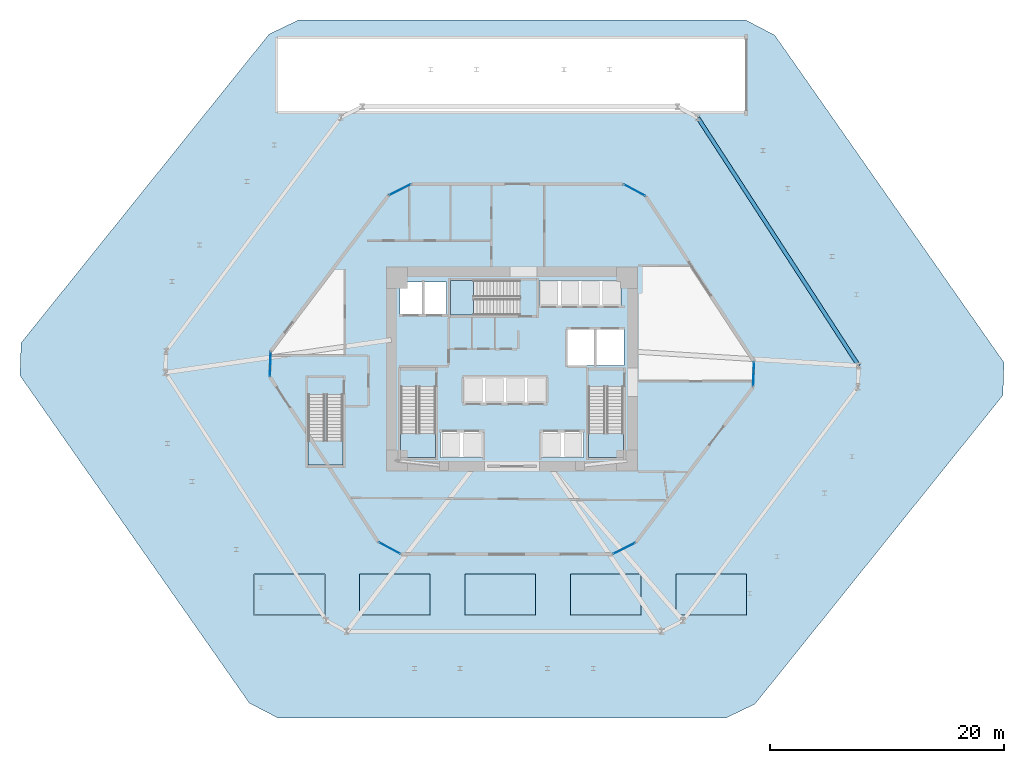
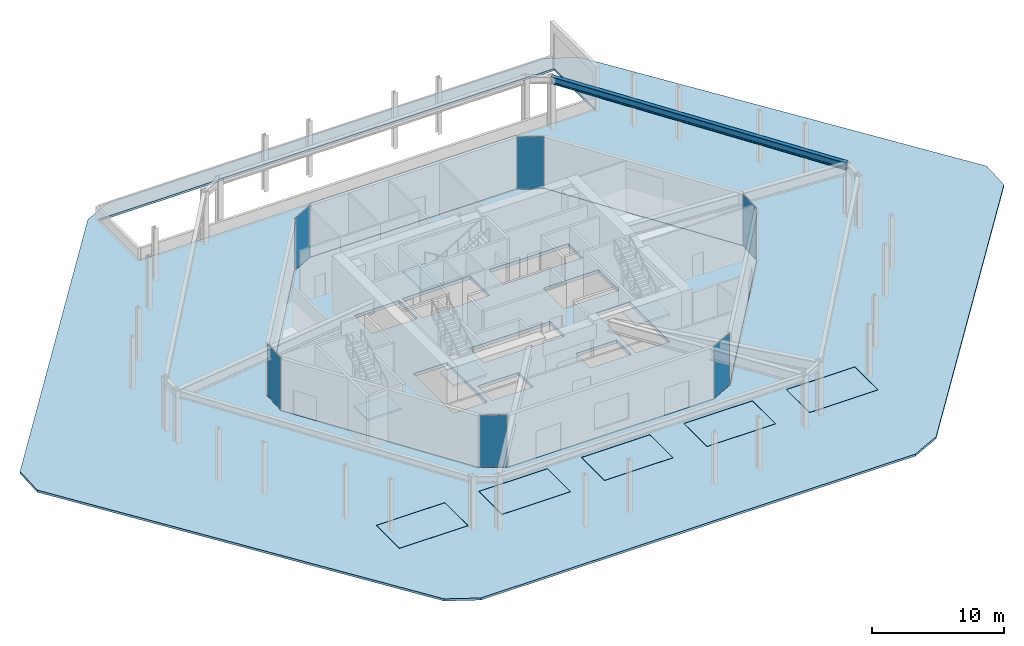
# One storey, part 11 of 18: 11 slabs, 6 plates, 1 beam, 10 elements without a shape of their own.
"""IFC4 building model written with IfcOpenShell, lengths in metres."""

from ifc_helpers import new_model, si_unit, direction, frame, origin, origin_2d, place, context, subcontext, project, spatial, polyline, rectangle, i_section, outline, extrude, source, transform, mapped, material, layer, layer_set, material_profile, profile_set, type_object, type_shapes, element, aggregate, save


model = new_model("IFC4")

# Units and contexts
model_context = context("Model", 3, precision=1e-05, world=origin(), true_north=direction((0.0, 1.0)))
body_context = subcontext(model_context, "Body", "Model", "MODEL_VIEW")
ifc_project = project(units=[si_unit("LENGTHUNIT", "METRE"), si_unit("AREAUNIT", "SQUARE_METRE"), si_unit("VOLUMEUNIT", "CUBIC_METRE"), si_unit("PLANEANGLEUNIT", "RADIAN"), si_unit("MASSUNIT", "GRAM", prefix="KILO")], contexts=[model_context])

# Site, building, storey
site_placement = place(None, origin())
site = spatial("IfcSite", under=ifc_project, at=site_placement, CompositionType="ELEMENT")
building_placement = place(site_placement, origin())
building = spatial("IfcBuilding", under=site, at=building_placement, Name="Durnholm Broadcast Tower", CompositionType="ELEMENT")
storey_placement = place(building_placement, origin())
storey = spatial("IfcBuildingStorey", under=building, at=storey_placement, Name="L00", CompositionType="ELEMENT", Elevation=0.0)

# Beam
ifc_material_1 = material(Name="Steel ASTM A992 Grade 50", Category="steel")
ifc_material_profile = material_profile(ifc_material_1, i_section(OverallWidth=0.3330078125, OverallDepth=0.660888671875, WebThickness=0.0244140625, FlangeThickness=0.0439453125, FilletRadius=0.02783203125, at=origin_2d()), Name="W24X229")
ifc_profile_set = profile_set([ifc_material_profile], Name="Steel ASTM A992 Grade 50")
beam_type = type_object("IfcBeamType", Name="STL-SP-W24X229", PredefinedType="SPANDREL", material=ifc_profile_set)
shared_shape_1 = source(origin(), body_context, "Body", "SweptSolid", [
    extrude(i_section(OverallWidth=0.3330078125, OverallDepth=0.660888671875, WebThickness=0.0244140625, FlangeThickness=0.0439453125, FilletRadius=0.02783203125, at=origin_2d()), origin(), (0.0, 0.0, 1.0), 25.22265625),
])
type_shapes(beam_type, [shared_shape_1])
beam_placement = place(storey_placement, frame((15.866455078125, 21.45068359375, 4.5546875), z_axis=(0.544117081794, -0.839009297505, 0.0), x_axis=(0.839009297505, 0.544117081794, 0.0)))
element("IfcBeam", 1, at=beam_placement, inside=storey, type_object=beam_type, Name="L00 perimeter spandrel girder 07", PredefinedType="SPANDREL", context=body_context, shape_type="MappedRepresentation", body=[
    mapped(shared_shape_1, transform((0.0, 0.0, 0.0), x_axis=(1.0, 0.0, 0.0), y_axis=(0.0, 1.0, 0.0), z_axis=(0.0, 0.0, 1.0), scale=1.0)),
])

# Slab
ifc_material_2 = material(Name="Concrete C50/60", Category="concrete")
ifc_layer_1 = layer(ifc_material_2, 0.300048828125)
ifc_layer_set_1 = layer_set([ifc_layer_1], Name="Concrete C50/60")
slab_type_1 = type_object("IfcSlabType", Name="SLAB-FLR-300", PredefinedType="FLOOR", material=ifc_layer_set_1)
slab_1_placement = place(storey_placement, frame((0.0, 0.0, -0.300048828125)))
element("IfcSlab", 2, at=slab_1_placement, inside=storey, type_object=slab_type_1, Name="L00 entrance lobby and dock structural floor slab", PredefinedType="FLOOR", context=body_context, shape_type="SweptSolid", body=[
    extrude(outline(polyline([(-11.421875, -14.75439453125), (-9.486083984375, -15.800048828125), (8.5791015625, -15.800048828125), (10.548583984375, -14.81982421875), (20.588623046875, -1.537841796875), (20.662109375, 0.660888671875), (11.421875, 14.75439453125), (9.486083984375, 15.800048828125), (-8.5791015625, 15.800048828125), (-10.548583984375, 14.81982421875), (-20.588623046875, 1.537841796875), (-20.662109375, -0.660888671875), (-11.421875, -14.75439453125)]), holes=[polyline([(-2.5, -5.35009765625), (-6.10009765625, -5.35009765625), (-6.10009765625, -7.550048828125), (-2.5, -7.550048828125), (-2.5, -5.35009765625)]), polyline([(6.10009765625, -5.35009765625), (2.5, -5.35009765625), (2.5, -7.550048828125), (6.10009765625, -7.550048828125), (6.10009765625, -5.35009765625)]), polyline([(-6.5400390625, -7.550048828125), (-6.5400390625, -1.5), (-9.5, -1.5), (-9.5, -7.550048828125), (-6.5400390625, -7.550048828125)]), polyline([(9.5, -7.550048828125), (9.5, -1.5), (6.5400390625, -1.5), (6.5400390625, -7.550048828125), (9.5, -7.550048828125)]), polyline([(2.949951171875, -0.699951171875), (-4.14990234375, -0.699951171875), (-4.14990234375, -2.89990234375), (2.949951171875, -2.89990234375), (2.949951171875, -0.699951171875)]), polyline([(9.550048828125, 3.39990234375), (4.699951171875, 3.39990234375), (4.699951171875, 0.300048828125), (9.550048828125, 0.300048828125), (9.550048828125, 3.39990234375)]), polyline([(-5.60009765625, 7.449951171875), (-9.550048828125, 7.449951171875), (-9.550048828125, 4.699951171875), (-5.60009765625, 4.699951171875), (-5.60009765625, 7.449951171875)]), polyline([(-5.25, 7.56005859375), (-5.25, 4.60009765625), (0.699951171875, 4.60009765625), (0.699951171875, 7.56005859375), (-5.25, 7.56005859375)]), polyline([(9.31005859375, 5.39990234375), (9.31005859375, 7.550048828125), (2.35009765625, 7.550048828125), (2.35009765625, 5.39990234375), (9.31005859375, 5.39990234375)])]), origin(), (0.0, 0.0, 1.0), 0.300048828125),
])

# Stair, slab
stair_type = type_object("IfcStairType", Name="STAIR-DL-30R1733", PredefinedType="HALF_TURN_STAIR", material=ifc_material_2)
stair_1_placement = place(storey_placement, origin())
stair_1 = element("IfcStair", 3, at=stair_1_placement, inside=storey, type_object=stair_type, Name="L00 ST-1", PredefinedType="HALF_TURN_STAIR")
ifc_layer_2 = layer(ifc_material_2, 0.199951171875)
ifc_layer_set_2 = layer_set([ifc_layer_2], Name="Concrete C50/60")
slab_type_2 = type_object("IfcSlabType", Name="SLAB-LND-200", PredefinedType="LANDING", material=ifc_layer_set_2)
slab_2_placement = place(storey_placement, frame((0.0, 0.0, 2.39990234375)))
slab_2 = element("IfcSlab", 4, at=slab_2_placement, type_object=slab_type_2, Name="ST-1 landing 1", PredefinedType="LANDING", context=body_context, shape_type="SweptSolid", body=[
    extrude(outline(polyline([(-9.5, -5.489990234375), (-9.5, -7.550048828125), (-6.5400390625, -7.550048828125), (-6.5400390625, -5.489990234375), (-9.5, -5.489990234375)])), origin(), (0.0, 0.0, 1.0), 0.2001953125),
])
aggregate(stair_1, [slab_2])

stair_2_placement = place(storey_placement, origin())
stair_2 = element("IfcStair", 5, at=stair_2_placement, inside=storey, type_object=stair_type, Name="L00 ST-2", PredefinedType="HALF_TURN_STAIR")
slab_3_placement = place(storey_placement, frame((0.0, 0.0, 2.39990234375)))
slab_3 = element("IfcSlab", 6, at=slab_3_placement, type_object=slab_type_2, Name="ST-2 landing 1", PredefinedType="LANDING", context=body_context, shape_type="SweptSolid", body=[
    extrude(outline(polyline([(6.5400390625, -5.489990234375), (6.5400390625, -7.550048828125), (9.5, -7.550048828125), (9.5, -5.489990234375), (6.5400390625, -5.489990234375)])), origin(), (0.0, 0.0, 1.0), 0.2001953125),
])
aggregate(stair_2, [slab_3])

stair_3_placement = place(storey_placement, origin())
stair_3 = element("IfcStair", 7, at=stair_3_placement, inside=storey, type_object=stair_type, Name="L00 ST-3", PredefinedType="HALF_TURN_STAIR")
slab_4_placement = place(storey_placement, frame((0.0, 0.0, 2.39990234375)))
slab_4 = element("IfcSlab", 8, at=slab_4_placement, type_object=slab_type_2, Name="ST-3 landing 1", PredefinedType="LANDING", context=body_context, shape_type="SweptSolid", body=[
    extrude(outline(polyline([(-3.2900390625, 7.56005859375), (-5.25, 7.56005859375), (-5.25, 4.60009765625), (-3.2900390625, 4.60009765625), (-3.2900390625, 7.56005859375)])), origin(), (0.0, 0.0, 1.0), 0.2001953125),
])
aggregate(stair_3, [slab_4])

stair_4_placement = place(storey_placement, origin())
stair_4 = element("IfcStair", 9, at=stair_4_placement, inside=storey, type_object=stair_type, Name="L00 ST-4", PredefinedType="HALF_TURN_STAIR")
slab_5_placement = place(storey_placement, frame((0.0, 0.0, 2.39990234375)))
slab_5 = element("IfcSlab", 10, at=slab_5_placement, type_object=slab_type_2, Name="ST-4 landing 1", PredefinedType="LANDING", context=body_context, shape_type="SweptSolid", body=[
    extrude(outline(polyline([(-17.39990234375, -6.139892578125), (-17.39990234375, -8.199951171875), (-14.43994140625, -8.199951171875), (-14.43994140625, -6.139892578125), (-17.39990234375, -6.139892578125)])), origin(), (0.0, 0.0, 1.0), 0.2001953125),
])
aggregate(stair_4, [slab_5])

# Slabs
ifc_material_3 = material(Name="Concrete C40/50", Category="concrete")
ifc_layer_3 = layer(ifc_material_3, 0.199951171875)
ifc_layer_set_3 = layer_set([ifc_layer_3], Name="Concrete C40/50")
slab_type_3 = type_object("IfcSlabType", Name="SLAB-PAV-200", PredefinedType="USERDEFINED", material=ifc_layer_set_3)
slab_6_placement = place(storey_placement, frame((0.0, 0.0, -0.199951171875)))
element("IfcSlab", 11, at=slab_6_placement, inside=storey, type_object=slab_type_3, Name="L00 open pilotis civic plaza paving 1", ObjectType="PAVING", PredefinedType="USERDEFINED", context=body_context, shape_type="SweptSolid", body=[
    extrude(outline(polyline([(-41.90380859375, 2.240478515625), (-41.995849609375, -0.55810546875), (-22.421142578125, -28.507080078125), (-19.9375, -29.800048828125), (18.211669921875, -29.800048828125), (20.736572265625, -28.589599609375), (41.90380859375, -2.240478515625), (41.995849609375, 0.55810546875), (22.421142578125, 28.507080078125), (19.9375, 29.800048828125), (-18.211669921875, 29.800048828125), (-20.736572265625, 28.589599609375), (-41.90380859375, 2.240478515625)]), holes=[polyline([(-11.434814453125, -14.77001953125), (-11.43310546875, -14.77099609375), (-11.431396484375, -14.772216796875), (-9.49560546875, -15.817626953125), (-9.493896484375, -15.818603515625), (-9.4921875, -15.819091796875), (-9.489990234375, -15.819580078125), (-9.48828125, -15.81982421875), (-9.486083984375, -15.820068359375), (8.5791015625, -15.820068359375), (8.580810546875, -15.81982421875), (8.582763671875, -15.819580078125), (8.58447265625, -15.819091796875), (8.586181640625, -15.818603515625), (8.587890625, -15.81787109375), (10.557373046875, -14.837646484375), (10.55908203125, -14.8369140625), (10.560546875, -14.835693359375), (10.56201171875, -14.834716796875), (10.563232421875, -14.833251953125), (10.564453125, -14.831787109375), (20.6044921875, -1.5498046875), (20.605712890625, -1.548095703125), (20.606689453125, -1.54638671875), (20.607421875, -1.54443359375), (20.60791015625, -1.54248046875), (20.6083984375, -1.54052734375), (20.608642578125, -1.53857421875), (20.68212890625, 0.660400390625), (20.68212890625, 0.662353515625), (20.681884765625, 0.664306640625), (20.681396484375, 0.66650390625), (20.680908203125, 0.668212890625), (20.679931640625, 0.670166015625), (20.678955078125, 0.672119140625), (11.438720703125, 14.765380859375), (11.4375, 14.76708984375), (11.43603515625, 14.7685546875), (11.434814453125, 14.77001953125), (11.43310546875, 14.77099609375), (11.431396484375, 14.772216796875), (9.49560546875, 15.817626953125), (9.493896484375, 15.818603515625), (9.4921875, 15.819091796875), (9.489990234375, 15.819580078125), (9.48828125, 15.81982421875), (9.486083984375, 15.820068359375), (-8.5791015625, 15.820068359375), (-8.580810546875, 15.81982421875), (-8.582763671875, 15.819580078125), (-8.58447265625, 15.819091796875), (-8.586181640625, 15.818603515625), (-8.587890625, 15.81787109375), (-10.557373046875, 14.837646484375), (-10.55908203125, 14.8369140625), (-10.560546875, 14.835693359375), (-10.56201171875, 14.834716796875), (-10.563232421875, 14.833251953125), (-10.564453125, 14.831787109375), (-20.6044921875, 1.5498046875), (-20.605712890625, 1.548095703125), (-20.606689453125, 1.54638671875), (-20.607421875, 1.54443359375), (-20.60791015625, 1.54248046875), (-20.6083984375, 1.54052734375), (-20.608642578125, 1.53857421875), (-20.68212890625, -0.660400390625), (-20.68212890625, -0.662353515625), (-20.681884765625, -0.664306640625), (-20.681396484375, -0.66650390625), (-20.680908203125, -0.668212890625), (-20.679931640625, -0.670166015625), (-20.678955078125, -0.672119140625), (-11.438720703125, -14.765380859375), (-11.4375, -14.76708984375), (-11.43603515625, -14.7685546875), (-11.434814453125, -14.77001953125)]), polyline([(20.0, 28.199951171875), (-20.0, 28.199951171875), (-20.0, 22.0), (20.0, 22.0), (20.0, 28.199951171875)]), polyline([(-22.0, -21.02001953125), (-16.0, -21.02001953125), (-15.998046875, -21.02001953125), (-15.99609375, -21.01953125), (-15.994140625, -21.01904296875), (-15.9921875, -21.0185546875), (-15.990478515625, -21.017578125), (-15.989013671875, -21.0166015625), (-15.9873046875, -21.015380859375), (-15.98583984375, -21.01416015625), (-15.984619140625, -21.0126953125), (-15.9833984375, -21.010986328125), (-15.982421875, -21.009521484375), (-15.9814453125, -21.0078125), (-15.98095703125, -21.005859375), (-15.98046875, -21.00390625), (-15.97998046875, -21.001953125), (-15.97998046875, -21.0), (-15.97998046875, -17.5), (-15.97998046875, -17.498046875), (-15.98046875, -17.49609375), (-15.98095703125, -17.494140625), (-15.9814453125, -17.4921875), (-15.982421875, -17.490478515625), (-15.9833984375, -17.489013671875), (-15.984619140625, -17.4873046875), (-15.98583984375, -17.48583984375), (-15.9873046875, -17.484619140625), (-15.989013671875, -17.4833984375), (-15.990478515625, -17.482421875), (-15.9921875, -17.4814453125), (-15.994140625, -17.48095703125), (-15.99609375, -17.48046875), (-15.998046875, -17.47998046875), (-16.0, -17.47998046875), (-22.0, -17.47998046875), (-22.001953125, -17.47998046875), (-22.00390625, -17.48046875), (-22.005859375, -17.48095703125), (-22.0078125, -17.4814453125), (-22.009521484375, -17.482421875), (-22.010986328125, -17.4833984375), (-22.0126953125, -17.484619140625), (-22.01416015625, -17.48583984375), (-22.015380859375, -17.4873046875), (-22.0166015625, -17.489013671875), (-22.017578125, -17.490478515625), (-22.0185546875, -17.4921875), (-22.01904296875, -17.494140625), (-22.01953125, -17.49609375), (-22.02001953125, -17.498046875), (-22.02001953125, -17.5), (-22.02001953125, -21.0), (-22.02001953125, -21.001953125), (-22.01953125, -21.00390625), (-22.01904296875, -21.005859375), (-22.0185546875, -21.0078125), (-22.017578125, -21.009521484375), (-22.0166015625, -21.010986328125), (-22.015380859375, -21.0126953125), (-22.01416015625, -21.01416015625), (-22.0126953125, -21.015380859375), (-22.010986328125, -21.0166015625), (-22.009521484375, -21.017578125), (-22.0078125, -21.0185546875), (-22.005859375, -21.01904296875), (-22.00390625, -21.01953125), (-22.001953125, -21.02001953125), (-22.0, -21.02001953125)]), polyline([(-13.0, -21.02001953125), (-7.0, -21.02001953125), (-6.998046875, -21.02001953125), (-6.99609375, -21.01953125), (-6.994140625, -21.01904296875), (-6.9921875, -21.0185546875), (-6.990478515625, -21.017578125), (-6.989013671875, -21.0166015625), (-6.9873046875, -21.015380859375), (-6.98583984375, -21.01416015625), (-6.984619140625, -21.0126953125), (-6.9833984375, -21.010986328125), (-6.982421875, -21.009521484375), (-6.9814453125, -21.0078125), (-6.98095703125, -21.005859375), (-6.98046875, -21.00390625), (-6.97998046875, -21.001953125), (-6.97998046875, -21.0), (-6.97998046875, -17.5), (-6.97998046875, -17.498046875), (-6.98046875, -17.49609375), (-6.98095703125, -17.494140625), (-6.9814453125, -17.4921875), (-6.982421875, -17.490478515625), (-6.9833984375, -17.489013671875), (-6.984619140625, -17.4873046875), (-6.98583984375, -17.48583984375), (-6.9873046875, -17.484619140625), (-6.989013671875, -17.4833984375), (-6.990478515625, -17.482421875), (-6.9921875, -17.4814453125), (-6.994140625, -17.48095703125), (-6.99609375, -17.48046875), (-6.998046875, -17.47998046875), (-7.0, -17.47998046875), (-13.0, -17.47998046875), (-13.001953125, -17.47998046875), (-13.00390625, -17.48046875), (-13.005859375, -17.48095703125), (-13.0078125, -17.4814453125), (-13.009521484375, -17.482421875), (-13.010986328125, -17.4833984375), (-13.0126953125, -17.484619140625), (-13.01416015625, -17.48583984375), (-13.015380859375, -17.4873046875), (-13.0166015625, -17.489013671875), (-13.017578125, -17.490478515625), (-13.0185546875, -17.4921875), (-13.01904296875, -17.494140625), (-13.01953125, -17.49609375), (-13.02001953125, -17.498046875), (-13.02001953125, -17.5), (-13.02001953125, -21.0), (-13.02001953125, -21.001953125), (-13.01953125, -21.00390625), (-13.01904296875, -21.005859375), (-13.0185546875, -21.0078125), (-13.017578125, -21.009521484375), (-13.0166015625, -21.010986328125), (-13.015380859375, -21.0126953125), (-13.01416015625, -21.01416015625), (-13.0126953125, -21.015380859375), (-13.010986328125, -21.0166015625), (-13.009521484375, -21.017578125), (-13.0078125, -21.0185546875), (-13.005859375, -21.01904296875), (-13.00390625, -21.01953125), (-13.001953125, -21.02001953125), (-13.0, -21.02001953125)]), polyline([(-4.0, -21.02001953125), (2.0, -21.02001953125), (2.001953125, -21.02001953125), (2.00390625, -21.01953125), (2.005859375, -21.01904296875), (2.0078125, -21.0185546875), (2.009521484375, -21.017578125), (2.010986328125, -21.0166015625), (2.0126953125, -21.015380859375), (2.01416015625, -21.01416015625), (2.015380859375, -21.0126953125), (2.0166015625, -21.010986328125), (2.017578125, -21.009521484375), (2.0185546875, -21.0078125), (2.01904296875, -21.005859375), (2.01953125, -21.00390625), (2.02001953125, -21.001953125), (2.02001953125, -21.0), (2.02001953125, -17.5), (2.02001953125, -17.498046875), (2.01953125, -17.49609375), (2.01904296875, -17.494140625), (2.0185546875, -17.4921875), (2.017578125, -17.490478515625), (2.0166015625, -17.489013671875), (2.015380859375, -17.4873046875), (2.01416015625, -17.48583984375), (2.0126953125, -17.484619140625), (2.010986328125, -17.4833984375), (2.009521484375, -17.482421875), (2.0078125, -17.4814453125), (2.005859375, -17.48095703125), (2.00390625, -17.48046875), (2.001953125, -17.47998046875), (2.0, -17.47998046875), (-4.0, -17.47998046875), (-4.001953125, -17.47998046875), (-4.00390625, -17.48046875), (-4.005859375, -17.48095703125), (-4.0078125, -17.4814453125), (-4.009521484375, -17.482421875), (-4.010986328125, -17.4833984375), (-4.0126953125, -17.484619140625), (-4.01416015625, -17.48583984375), (-4.015380859375, -17.4873046875), (-4.0166015625, -17.489013671875), (-4.017578125, -17.490478515625), (-4.0185546875, -17.4921875), (-4.01904296875, -17.494140625), (-4.01953125, -17.49609375), (-4.02001953125, -17.498046875), (-4.02001953125, -17.5), (-4.02001953125, -21.0), (-4.02001953125, -21.001953125), (-4.01953125, -21.00390625), (-4.01904296875, -21.005859375), (-4.0185546875, -21.0078125), (-4.017578125, -21.009521484375), (-4.0166015625, -21.010986328125), (-4.015380859375, -21.0126953125), (-4.01416015625, -21.01416015625), (-4.0126953125, -21.015380859375), (-4.010986328125, -21.0166015625), (-4.009521484375, -21.017578125), (-4.0078125, -21.0185546875), (-4.005859375, -21.01904296875), (-4.00390625, -21.01953125), (-4.001953125, -21.02001953125), (-4.0, -21.02001953125)]), polyline([(4.998046875, -21.02001953125), (5.0, -21.02001953125), (11.0, -21.02001953125), (11.001953125, -21.02001953125), (11.00390625, -21.01953125), (11.005859375, -21.01904296875), (11.0078125, -21.0185546875), (11.009521484375, -21.017578125), (11.010986328125, -21.0166015625), (11.0126953125, -21.015380859375), (11.01416015625, -21.01416015625), (11.015380859375, -21.0126953125), (11.0166015625, -21.010986328125), (11.017578125, -21.009521484375), (11.0185546875, -21.0078125), (11.01904296875, -21.005859375), (11.01953125, -21.00390625), (11.02001953125, -21.001953125), (11.02001953125, -21.0), (11.02001953125, -17.5), (11.02001953125, -17.498046875), (11.01953125, -17.49609375), (11.01904296875, -17.494140625), (11.0185546875, -17.4921875), (11.017578125, -17.490478515625), (11.0166015625, -17.489013671875), (11.015380859375, -17.4873046875), (11.01416015625, -17.48583984375), (11.0126953125, -17.484619140625), (11.010986328125, -17.4833984375), (11.009521484375, -17.482421875), (11.0078125, -17.4814453125), (11.005859375, -17.48095703125), (11.00390625, -17.48046875), (11.001953125, -17.47998046875), (11.0, -17.47998046875), (5.0, -17.47998046875), (4.998046875, -17.47998046875), (4.99609375, -17.48046875), (4.994140625, -17.48095703125), (4.9921875, -17.4814453125), (4.990478515625, -17.482421875), (4.989013671875, -17.4833984375), (4.9873046875, -17.484619140625), (4.98583984375, -17.48583984375), (4.984619140625, -17.4873046875), (4.9833984375, -17.489013671875), (4.982421875, -17.490478515625), (4.9814453125, -17.4921875), (4.98095703125, -17.494140625), (4.98046875, -17.49609375), (4.97998046875, -17.498046875), (4.97998046875, -17.5), (4.97998046875, -21.0), (4.97998046875, -21.001953125), (4.98046875, -21.00390625), (4.98095703125, -21.005859375), (4.9814453125, -21.0078125), (4.982421875, -21.009521484375), (4.9833984375, -21.010986328125), (4.984619140625, -21.0126953125), (4.98583984375, -21.01416015625), (4.9873046875, -21.015380859375), (4.989013671875, -21.0166015625), (4.990478515625, -21.017578125), (4.9921875, -21.0185546875), (4.994140625, -21.01904296875), (4.99609375, -21.01953125), (4.998046875, -21.02001953125)]), polyline([(13.998046875, -21.02001953125), (14.0, -21.02001953125), (20.0, -21.02001953125), (20.001953125, -21.02001953125), (20.00390625, -21.01953125), (20.005859375, -21.01904296875), (20.0078125, -21.0185546875), (20.009521484375, -21.017578125), (20.010986328125, -21.0166015625), (20.0126953125, -21.015380859375), (20.01416015625, -21.01416015625), (20.015380859375, -21.0126953125), (20.0166015625, -21.010986328125), (20.017578125, -21.009521484375), (20.0185546875, -21.0078125), (20.01904296875, -21.005859375), (20.01953125, -21.00390625), (20.02001953125, -21.001953125), (20.02001953125, -21.0), (20.02001953125, -17.5), (20.02001953125, -17.498046875), (20.01953125, -17.49609375), (20.01904296875, -17.494140625), (20.0185546875, -17.4921875), (20.017578125, -17.490478515625), (20.0166015625, -17.489013671875), (20.015380859375, -17.4873046875), (20.01416015625, -17.48583984375), (20.0126953125, -17.484619140625), (20.010986328125, -17.4833984375), (20.009521484375, -17.482421875), (20.0078125, -17.4814453125), (20.005859375, -17.48095703125), (20.00390625, -17.48046875), (20.001953125, -17.47998046875), (20.0, -17.47998046875), (14.0, -17.47998046875), (13.998046875, -17.47998046875), (13.99609375, -17.48046875), (13.994140625, -17.48095703125), (13.9921875, -17.4814453125), (13.990478515625, -17.482421875), (13.989013671875, -17.4833984375), (13.9873046875, -17.484619140625), (13.98583984375, -17.48583984375), (13.984619140625, -17.4873046875), (13.9833984375, -17.489013671875), (13.982421875, -17.490478515625), (13.9814453125, -17.4921875), (13.98095703125, -17.494140625), (13.98046875, -17.49609375), (13.97998046875, -17.498046875), (13.97998046875, -17.5), (13.97998046875, -21.0), (13.97998046875, -21.001953125), (13.98046875, -21.00390625), (13.98095703125, -21.005859375), (13.9814453125, -21.0078125), (13.982421875, -21.009521484375), (13.9833984375, -21.010986328125), (13.984619140625, -21.0126953125), (13.98583984375, -21.01416015625), (13.9873046875, -21.015380859375), (13.989013671875, -21.0166015625), (13.990478515625, -21.017578125), (13.9921875, -21.0185546875), (13.994140625, -21.01904296875), (13.99609375, -21.01953125), (13.998046875, -21.02001953125)])]), origin(), (0.0, 0.0, 1.0), 0.199951171875),
])
slab_7_placement = place(storey_placement, frame((0.0, 0.0, -0.199951171875)))
element("IfcSlab", 12, at=slab_7_placement, inside=storey, type_object=slab_type_3, Name="L00 plaza courtyard paving panel 1", ObjectType="PAVING", PredefinedType="USERDEFINED", context=body_context, shape_type="SweptSolid", body=[
    extrude(outline(polyline([(-22.0, -21.0), (-16.0, -21.0), (-16.0, -17.5), (-22.0, -17.5), (-22.0, -21.0)])), origin(), (0.0, 0.0, 1.0), 0.199951171875),
])
slab_8_placement = place(storey_placement, frame((0.0, 0.0, -0.199951171875)))
element("IfcSlab", 13, at=slab_8_placement, inside=storey, type_object=slab_type_3, Name="L00 plaza courtyard paving panel 2", ObjectType="PAVING", PredefinedType="USERDEFINED", context=body_context, shape_type="SweptSolid", body=[
    extrude(outline(polyline([(-13.0, -21.0), (-7.0, -21.0), (-7.0, -17.5), (-13.0, -17.5), (-13.0, -21.0)])), origin(), (0.0, 0.0, 1.0), 0.199951171875),
])
slab_9_placement = place(storey_placement, frame((0.0, 0.0, -0.199951171875)))
element("IfcSlab", 14, at=slab_9_placement, inside=storey, type_object=slab_type_3, Name="L00 plaza courtyard paving panel 3", ObjectType="PAVING", PredefinedType="USERDEFINED", context=body_context, shape_type="SweptSolid", body=[
    extrude(outline(polyline([(-4.0, -21.0), (2.0, -21.0), (2.0, -17.5), (-4.0, -17.5), (-4.0, -21.0)])), origin(), (0.0, 0.0, 1.0), 0.199951171875),
])
slab_10_placement = place(storey_placement, frame((0.0, 0.0, -0.199951171875)))
element("IfcSlab", 15, at=slab_10_placement, inside=storey, type_object=slab_type_3, Name="L00 plaza courtyard paving panel 4", ObjectType="PAVING", PredefinedType="USERDEFINED", context=body_context, shape_type="SweptSolid", body=[
    extrude(outline(polyline([(5.0, -21.0), (11.0, -21.0), (11.0, -17.5), (5.0, -17.5), (5.0, -21.0)])), origin(), (0.0, 0.0, 1.0), 0.199951171875),
])
slab_11_placement = place(storey_placement, frame((0.0, 0.0, -0.199951171875)))
element("IfcSlab", 16, at=slab_11_placement, inside=storey, type_object=slab_type_3, Name="L00 plaza courtyard paving panel 5", ObjectType="PAVING", PredefinedType="USERDEFINED", context=body_context, shape_type="SweptSolid", body=[
    extrude(outline(polyline([(14.0, -21.0), (20.0, -21.0), (20.0, -17.5), (14.0, -17.5), (14.0, -21.0)])), origin(), (0.0, 0.0, 1.0), 0.199951171875),
])

# Curtain wall, plate
ifc_material_4 = material(Name="Aluminium and Solar Control IGU", Category="aluminium")
ifc_layer_4 = layer(ifc_material_4, 0.1650390625)
ifc_layer_set_4 = layer_set([ifc_layer_4], Name="Aluminium and Solar Control IGU")
curtain_wall_type = type_object("IfcCurtainWallType", Name="CW-SYS-5", PredefinedType="NOTDEFINED", material=ifc_layer_set_4)
curtain_wall_1_placement = place(storey_placement, origin())
curtain_wall_1 = element("IfcCurtainWall", 17, at=curtain_wall_1_placement, inside=storey, type_object=curtain_wall_type, Name="L00 curtain wall CW-CORNER CW-L00-CRN-01", PredefinedType="NOTDEFINED")
ifc_material_5 = material(Name="Low-E Laminated Insulating Glass", Category="glass")
ifc_layer_5 = layer(ifc_material_5, 0.030029296875)
ifc_layer_set_5 = layer_set([ifc_layer_5], Name="Low-E Laminated Insulating Glass")
plate_type = type_object("IfcPlateType", Name="CW-SYS-5-PNL", PredefinedType="CURTAIN_PANEL", material=ifc_layer_set_5)
shared_shape_2 = source(origin(), body_context, "Body", "SweptSolid", [
    extrude(rectangle(XDim=2.070068359375, YDim=0.030029296875, at=origin_2d()), origin(), (0.0, 0.0, 1.0), 4.77001953125),
])
plate_1_placement = place(storey_placement, frame((-20.62548828125, 0.4384765625, 0.06494140625), z_axis=(0.0, 0.0, 1.0), x_axis=(0.033454067148, 0.999440256039, 0.0)))
plate_1 = element("IfcPlate", 18, at=plate_1_placement, type_object=plate_type, Name="CW-CORNER panel 1.1", PredefinedType="CURTAIN_PANEL", context=body_context, shape_type="MappedRepresentation", body=[
    mapped(shared_shape_2, transform((0.0, 0.0, 0.0), x_axis=(1.0, 0.0, 0.0), y_axis=(0.0, 1.0, 0.0), z_axis=(0.0, 0.0, 1.0), scale=1.0)),
])
aggregate(curtain_wall_1, [plate_1])

curtain_wall_2_placement = place(storey_placement, origin())
curtain_wall_2 = element("IfcCurtainWall", 19, at=curtain_wall_2_placement, inside=storey, type_object=curtain_wall_type, Name="L00 curtain wall CW-CORNER CW-L00-CRN-05", PredefinedType="NOTDEFINED")
plate_2_placement = place(storey_placement, frame((10.4541015625, 15.27734375, 0.06494140625), z_axis=(0.0, 0.0, 1.0), x_axis=(0.879863205522, -0.475227040022, 0.0)))
plate_2 = element("IfcPlate", 20, at=plate_2_placement, type_object=plate_type, Name="CW-CORNER panel 1.1", PredefinedType="CURTAIN_PANEL", context=body_context, shape_type="MappedRepresentation", body=[
    mapped(shared_shape_2, transform((0.0, 0.0, 0.0), x_axis=(1.0, 0.0, 0.0), y_axis=(0.0, 1.0, 0.0), z_axis=(0.0, 0.0, 1.0), scale=1.0)),
])
aggregate(curtain_wall_2, [plate_2])

curtain_wall_3_placement = place(storey_placement, origin())
curtain_wall_3 = element("IfcCurtainWall", 21, at=curtain_wall_3_placement, inside=storey, type_object=curtain_wall_type, Name="L00 curtain wall CW-CORNER CW-L00-CRN-07", PredefinedType="NOTDEFINED")
plate_3_placement = place(storey_placement, frame((20.62548828125, -0.4384765625, 0.06494140625), z_axis=(0.0, 0.0, 1.0), x_axis=(-0.033454067148, -0.999440256039, 0.0)))
plate_3 = element("IfcPlate", 22, at=plate_3_placement, type_object=plate_type, Name="CW-CORNER panel 1.1", PredefinedType="CURTAIN_PANEL", context=body_context, shape_type="MappedRepresentation", body=[
    mapped(shared_shape_2, transform((0.0, 0.0, 0.0), x_axis=(1.0, 0.0, 0.0), y_axis=(0.0, 1.0, 0.0), z_axis=(0.0, 0.0, 1.0), scale=1.0)),
])
aggregate(curtain_wall_3, [plate_3])

curtain_wall_4_placement = place(storey_placement, origin())
curtain_wall_4 = element("IfcCurtainWall", 23, at=curtain_wall_4_placement, inside=storey, type_object=curtain_wall_type, Name="L00 curtain wall CW-CORNER CW-L00-CRN-11", PredefinedType="NOTDEFINED")
plate_4_placement = place(storey_placement, frame((-10.4541015625, -15.27734375, 0.06494140625), z_axis=(0.0, 0.0, 1.0), x_axis=(-0.879863205522, 0.475227040022, 0.0)))
plate_4 = element("IfcPlate", 24, at=plate_4_placement, type_object=plate_type, Name="CW-CORNER panel 1.1", PredefinedType="CURTAIN_PANEL", context=body_context, shape_type="MappedRepresentation", body=[
    mapped(shared_shape_2, transform((0.0, 0.0, 0.0), x_axis=(1.0, 0.0, 0.0), y_axis=(0.0, 1.0, 0.0), z_axis=(0.0, 0.0, 1.0), scale=1.0)),
])
aggregate(curtain_wall_4, [plate_4])

curtain_wall_5_placement = place(storey_placement, origin())
curtain_wall_5 = element("IfcCurtainWall", 25, at=curtain_wall_5_placement, inside=storey, type_object=curtain_wall_type, Name="L00 curtain wall CW-CORNER CW-L00-CRN-03", PredefinedType="NOTDEFINED")
shared_shape_3 = source(origin(), body_context, "Body", "SweptSolid", [
    extrude(rectangle(XDim=2.06982421875, YDim=0.030029296875, at=origin_2d()), origin(), (0.0, 0.0, 1.0), 4.77001953125),
])
type_shapes(plate_type, [shared_shape_2, shared_shape_3])
plate_5_placement = place(storey_placement, frame((-9.563720703125, 15.309814453125, 0.06494140625), z_axis=(0.0, 0.0, 1.0), x_axis=(0.895252957048, 0.445558237379, 0.0)))
plate_5 = element("IfcPlate", 26, at=plate_5_placement, type_object=plate_type, Name="CW-CORNER panel 1.1", PredefinedType="CURTAIN_PANEL", context=body_context, shape_type="MappedRepresentation", body=[
    mapped(shared_shape_3, transform((0.0, 0.0, 0.0), x_axis=(1.0, 0.0, 0.0), y_axis=(0.0, 1.0, 0.0), z_axis=(0.0, 0.0, 1.0), scale=1.0)),
])
aggregate(curtain_wall_5, [plate_5])

curtain_wall_6_placement = place(storey_placement, origin())
curtain_wall_6 = element("IfcCurtainWall", 27, at=curtain_wall_6_placement, inside=storey, type_object=curtain_wall_type, Name="L00 curtain wall CW-CORNER CW-L00-CRN-09", PredefinedType="NOTDEFINED")
plate_6_placement = place(storey_placement, frame((9.563720703125, -15.309814453125, 0.06494140625), z_axis=(0.0, 0.0, 1.0), x_axis=(-0.895252957048, -0.445558237379, 0.0)))
plate_6 = element("IfcPlate", 28, at=plate_6_placement, type_object=plate_type, Name="CW-CORNER panel 1.1", PredefinedType="CURTAIN_PANEL", context=body_context, shape_type="MappedRepresentation", body=[
    mapped(shared_shape_3, transform((0.0, 0.0, 0.0), x_axis=(1.0, 0.0, 0.0), y_axis=(0.0, 1.0, 0.0), z_axis=(0.0, 0.0, 1.0), scale=1.0)),
])
aggregate(curtain_wall_6, [plate_6])

save(model, "model.ifc")
